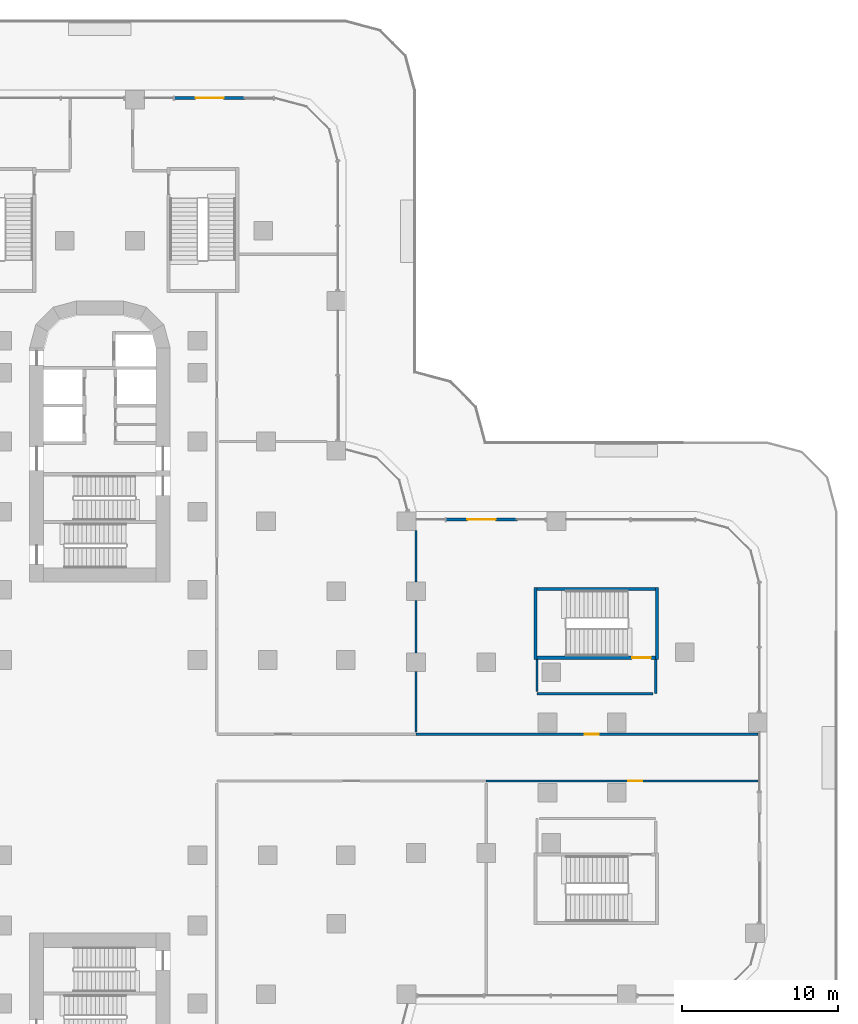
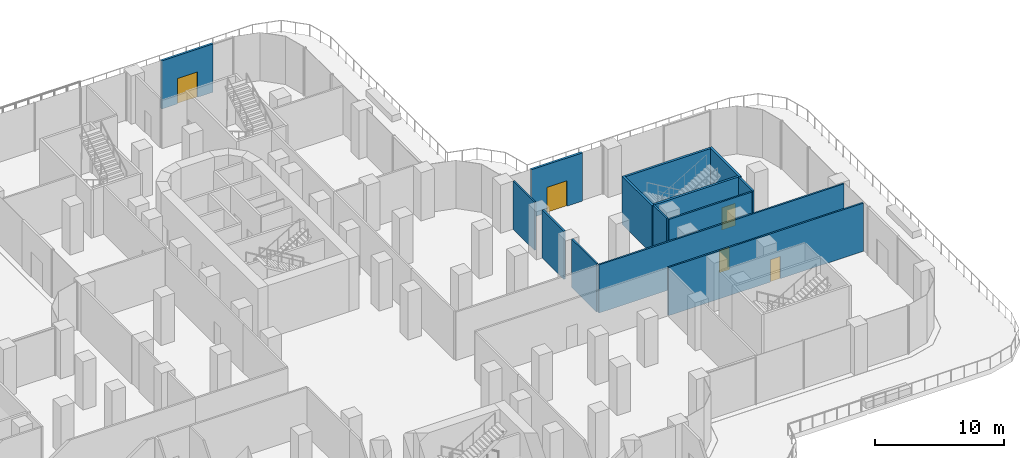
# One storey, part 20 of 27: 14 walls, 5 doors, 5 openings.
"""IFC4 building model written with IfcOpenShell, lengths in metres."""

from ifc_helpers import new_model, si_unit, direction, frame, frame_2d, origin, place, context, subcontext, project, spatial, rectangle, extrude, material, layer, layer_set, type_object, element, fill, save


model = new_model("IFC4")

# Units and contexts
model_context = context("Model", 3, precision=1e-05, world=origin(), true_north=direction((0.0, 1.0)))
body_context = subcontext(model_context, "Body", "Model", "MODEL_VIEW")
ifc_project = project(units=[si_unit("LENGTHUNIT", "METRE"), si_unit("AREAUNIT", "SQUARE_METRE"), si_unit("VOLUMEUNIT", "CUBIC_METRE"), si_unit("PLANEANGLEUNIT", "RADIAN"), si_unit("MASSUNIT", "GRAM", prefix="KILO")], contexts=[model_context])

# Site, building, storey
site_placement = place(None, origin())
site = spatial("IfcSite", under=ifc_project, at=site_placement, CompositionType="ELEMENT")
building_placement = place(site_placement, origin())
building = spatial("IfcBuilding", under=site, at=building_placement, Name="Zarbagh Exchange Tower", CompositionType="ELEMENT")
storey_placement = place(building_placement, frame((0.0, 0.0, 17.0)))
storey = spatial("IfcBuildingStorey", under=building, at=storey_placement, Name="L03", CompositionType="ELEMENT", Elevation=17.0)

# Walls
ifc_material_1 = material(Name="Plasterboard partition")
ifc_layer_1 = layer(ifc_material_1, 0.14990234375)
ifc_layer_set_1 = layer_set([ifc_layer_1], Name="Board partition 150")
wall_type_1 = type_object("IfcWallType", Name="Board partition 150", PredefinedType="PARTITIONING", material=ifc_layer_set_1)
wall_1_placement = place(storey_placement, frame((35.60009765625, 6.300048828125, 0.0), z_axis=(0.0, 0.0, 1.0), x_axis=(0.0, -1.0, 0.0)))
element("IfcWall", 1, at=wall_1_placement, inside=storey, type_object=wall_type_1, Name="WL-L03-W003", PredefinedType="PARTITIONING", context=body_context, shape_type="SweptSolid", body=[
    extrude(rectangle(XDim=2.199951171875, YDim=0.14990234375, at=frame_2d((1.10009765625, 0.0))), origin(), (0.0, 0.0, 1.0), 4.550048828125),
])
wall_2_placement = place(storey_placement, frame((35.449951171875, 4.10009765625, 0.0), z_axis=(0.0, 0.0, 1.0), x_axis=(-1.0, 0.0, 0.0)))
element("IfcWall", 2, at=wall_2_placement, inside=storey, type_object=wall_type_1, Name="WL-L03-W004", PredefinedType="PARTITIONING", context=body_context, shape_type="SweptSolid", body=[
    extrude(rectangle(XDim=7.449951171875, YDim=0.14990234375, at=frame_2d((3.72509765625, 0.0))), origin(), (0.0, 0.0, 1.0), 4.550048828125),
])
wall_3_placement = place(storey_placement, frame((28.0, 4.25, 0.0), z_axis=(0.0, 0.0, 1.0), x_axis=(0.0, 1.0, 0.0)))
element("IfcWall", 3, at=wall_3_placement, inside=storey, type_object=wall_type_1, Name="WL-L03-W005", PredefinedType="PARTITIONING", context=body_context, shape_type="SweptSolid", body=[
    extrude(rectangle(XDim=2.050048828125, YDim=0.14990234375, at=frame_2d((1.02490234375, 0.0))), origin(), (0.0, 0.0, 1.0), 4.550048828125),
])

# Wall, opening, door
wall_4_placement = place(storey_placement, frame((20.25, 1.5, 0.0), z_axis=(0.0, 0.0, 1.0), x_axis=(1.0, 0.0, 0.0)))
wall_4 = element("IfcWall", 4, at=wall_4_placement, inside=storey, type_object=wall_type_1, Name="WL-L03-W034", PredefinedType="PARTITIONING", context=body_context, shape_type="SweptSolid", body=[
    extrude(rectangle(XDim=21.89990234375, YDim=0.14990234375, at=frame_2d((10.949951171875, 0.0))), origin(), (0.0, 0.0, 1.0), 4.550048828125),
])
opening_1_placement = place(wall_4_placement, frame((10.800048828125, 0.0, 0.0)))
opening_1 = element("IfcOpeningElement", 5, at=opening_1_placement, cuts=wall_4, Name="Opening D12", PredefinedType="OPENING", context=body_context, shape_type="SweptSolid", body=[
    extrude(rectangle(XDim=0.89990234375, YDim=2.10009765625, at=frame_2d((0.449951171875, 1.050048828125))), frame((0.0, 0.0849609375, 0.0), z_axis=(0.0, -1.0, 0.0), x_axis=(1.0, 0.0, 0.0)), (0.0, 0.0, 1.0), 0.169921875),
])
ifc_material_2 = material(Name="Timber door leaf", Category="wood")
door_type_1 = type_object("IfcDoorType", Name="Door single 900x2100", OperationType="SINGLE_SWING_LEFT", PredefinedType="DOOR", material=ifc_material_2)
door_1_placement = place(opening_1_placement, origin())
door_1 = element("IfcDoor", 6, at=door_1_placement, inside=storey, type_object=door_type_1, Name="D12", OperationType="SINGLE_SWING_LEFT", OverallHeight=2.10009765625, OverallWidth=0.89990234375, PredefinedType="DOOR", context=body_context, shape_type="SweptSolid", body=[
    extrude(rectangle(XDim=0.89990234375, YDim=2.10009765625, at=frame_2d((0.449951171875, 1.050048828125))), frame((0.0, 0.02490234375, 0.0), z_axis=(0.0, -1.0, 0.0), x_axis=(1.0, 0.0, 0.0)), (0.0, 0.0, 1.0), 0.050048828125),
])
fill(opening_1, door_1)

wall_5_placement = place(storey_placement, frame((42.14990234375, -1.5, 0.0), z_axis=(0.0, 0.0, 1.0), x_axis=(-1.0, 0.0, 0.0)))
wall_5 = element("IfcWall", 7, at=wall_5_placement, inside=storey, type_object=wall_type_1, Name="WL-L03-W036", PredefinedType="PARTITIONING", context=body_context, shape_type="SweptSolid", body=[
    extrude(rectangle(XDim=17.39990234375, YDim=0.14990234375, at=frame_2d((8.699951171875, 0.0))), origin(), (0.0, 0.0, 1.0), 4.550048828125),
])
opening_2_placement = place(wall_5_placement, frame((7.39990234375, 0.0, 0.0)))
opening_2 = element("IfcOpeningElement", 8, at=opening_2_placement, cuts=wall_5, Name="Opening D14", PredefinedType="OPENING", context=body_context, shape_type="SweptSolid", body=[
    extrude(rectangle(XDim=0.89990234375, YDim=2.10009765625, at=frame_2d((0.449951171875, 1.050048828125))), frame((0.0, 0.0849609375, 0.0), z_axis=(0.0, -1.0, 0.0), x_axis=(1.0, 0.0, 0.0)), (0.0, 0.0, 1.0), 0.169921875),
])
door_2_placement = place(opening_2_placement, origin())
door_2 = element("IfcDoor", 9, at=door_2_placement, inside=storey, type_object=door_type_1, Name="D14", OperationType="SINGLE_SWING_LEFT", OverallHeight=2.10009765625, OverallWidth=0.89990234375, PredefinedType="DOOR", context=body_context, shape_type="SweptSolid", body=[
    extrude(rectangle(XDim=0.89990234375, YDim=2.10009765625, at=frame_2d((0.449951171875, 1.050048828125))), frame((0.0, 0.02490234375, 0.0), z_axis=(0.0, -1.0, 0.0), x_axis=(1.0, 0.0, 0.0)), (0.0, 0.0, 1.0), 0.050048828125),
])
fill(opening_2, door_2)

# Walls
wall_6_placement = place(storey_placement, frame((20.25, 14.550048828125, 0.0), z_axis=(0.0, 0.0, 1.0), x_axis=(0.0, -1.0, 0.0)))
element("IfcWall", 10, at=wall_6_placement, inside=storey, type_object=wall_type_1, Name="WL-L03-W043", PredefinedType="PARTITIONING", context=body_context, shape_type="SweptSolid", body=[
    extrude(rectangle(XDim=3.300048828125, YDim=0.14990234375, at=frame_2d((1.64990234375, 0.0))), origin(), (0.0, 0.0, 1.0), 4.550048828125),
])
wall_7_placement = place(storey_placement, frame((20.25, 10.050048828125, 0.0), z_axis=(0.0, 0.0, 1.0), x_axis=(0.0, -1.0, 0.0)))
element("IfcWall", 11, at=wall_7_placement, inside=storey, type_object=wall_type_1, Name="WL-L03-W044", PredefinedType="PARTITIONING", context=body_context, shape_type="SweptSolid", body=[
    extrude(rectangle(XDim=3.340087890625, YDim=0.14990234375, at=frame_2d((1.669921875, 0.0))), origin(), (0.0, 0.0, 1.0), 4.550048828125),
])
wall_8_placement = place(storey_placement, frame((20.25, 5.510009765625, 0.0), z_axis=(0.0, 0.0, 1.0), x_axis=(0.0, -1.0, 0.0)))
element("IfcWall", 12, at=wall_8_placement, inside=storey, type_object=wall_type_1, Name="WL-L03-W045", PredefinedType="PARTITIONING", context=body_context, shape_type="SweptSolid", body=[
    extrude(rectangle(XDim=3.860107421875, YDim=0.14990234375, at=frame_2d((1.93017578125, 0.0))), origin(), (0.0, 0.0, 1.0), 4.550048828125),
])
ifc_material_3 = material(Name="Concrete C40/50", Category="concrete")
ifc_layer_2 = layer(ifc_material_3, 0.199951171875)
ifc_layer_set_2 = layer_set([ifc_layer_2], Name="Stair enclosure wall 200 mm RC C40/50")
wall_type_2 = type_object("IfcWallType", Name="Stair enclosure wall 200 mm RC C40/50", PredefinedType="SHEAR", material=ifc_layer_set_2)
for number, where, z_axis, x_axis, name in (
    (13, (27.89990234375, 6.300048828125, 0.0), (0.0, 0.0, 1.0), (0.0, 1.0, 0.0), "Exit stair PS3 enclosure wall W"),
    (14, (35.699951171875, 6.300048828125, 0.0), (0.0, 0.0, 1.0), (0.0, 1.0, 0.0), "Exit stair PS3 enclosure wall E"),
):
    element("IfcWall", number, at=place(storey_placement, frame(where, z_axis=z_axis, x_axis=x_axis)), inside=storey, type_object=wall_type_2, Name=name, PredefinedType="SHEAR", context=body_context, shape_type="SweptSolid", body=[
        extrude(rectangle(XDim=4.599853515625, YDim=0.199951171875, at=frame_2d((2.2998046875, 0.0))), origin(), (0.0, 0.0, 1.0), 4.550048828125),
    ])

# Wall, opening, door
wall_9_placement = place(storey_placement, frame((28.0, 6.39990234375, 0.0), z_axis=(0.0, 0.0, 1.0), x_axis=(1.0, 0.0, 0.0)))
wall_9 = element("IfcWall", 15, at=wall_9_placement, inside=storey, type_object=wall_type_2, Name="Exit stair PS3 enclosure wall S", PredefinedType="SHEAR", context=body_context, shape_type="SweptSolid", body=[
    extrude(rectangle(XDim=7.60009765625, YDim=0.199951171875, at=frame_2d((3.800048828125, 0.0))), origin(), (0.0, 0.0, 1.0), 4.550048828125),
])
opening_3_placement = place(wall_9_placement, frame((6.10009765625, 0.0, 0.0)))
opening_3 = element("IfcOpeningElement", 16, at=opening_3_placement, cuts=wall_9, Name="Opening SD1-1200", PredefinedType="OPENING", context=body_context, shape_type="SweptSolid", body=[
    extrude(rectangle(XDim=1.199951171875, YDim=2.10009765625, at=frame_2d((0.60009765625, 1.050048828125))), frame((0.0, 0.10986328125, 0.0), z_axis=(0.0, -1.0, 0.0), x_axis=(1.0, 0.0, 0.0)), (0.0, 0.0, 1.0), 0.219970703125),
])
ifc_material_4 = material(Name="Steel", Category="steel")
door_type_2 = type_object("IfcDoorType", Name="Exit stair door 1200 x 2100", OperationType="NOTDEFINED", PredefinedType="DOOR", material=ifc_material_4)
door_3_placement = place(opening_3_placement, origin())
door_3 = element("IfcDoor", 17, at=door_3_placement, inside=storey, type_object=door_type_2, Name="Exit stair PS3 entry door", OperationType="SINGLE_SWING_RIGHT", OverallHeight=2.10009765625, OverallWidth=1.199951171875, PredefinedType="DOOR", context=body_context, shape_type="SweptSolid", body=[
    extrude(rectangle(XDim=1.199951171875, YDim=2.10009765625, at=frame_2d((0.60009765625, 1.050048828125))), frame((0.0, 0.02490234375, 0.0), z_axis=(0.0, -1.0, 0.0), x_axis=(1.0, 0.0, 0.0)), (0.0, 0.0, 1.0), 0.050048828125),
])
fill(opening_3, door_3)

# Wall
wall_10_placement = place(storey_placement, frame((28.0, 10.800048828125, 0.0), z_axis=(0.0, 0.0, 1.0), x_axis=(1.0, 0.0, 0.0)))
element("IfcWall", 18, at=wall_10_placement, inside=storey, type_object=wall_type_2, Name="Exit stair PS3 enclosure wall N", PredefinedType="SHEAR", context=body_context, shape_type="SweptSolid", body=[
    extrude(rectangle(XDim=7.60009765625, YDim=0.199951171875, at=frame_2d((3.800048828125, 0.0))), origin(), (0.0, 0.0, 1.0), 4.550048828125),
])

# Wall, opening, door
ifc_material_5 = material(Name="Precast concrete C50/60", Category="concrete")
ifc_layer_3 = layer(ifc_material_5, 0.199951171875)
ifc_layer_set_3 = layer_set([ifc_layer_3], Name="Terrace door wall, precast concrete C50/60")
wall_type_3 = type_object("IfcWallType", Name="Terrace door wall, precast concrete C50/60", PredefinedType="SOLIDWALL", material=ifc_layer_set_3)
wall_11_placement = place(storey_placement, frame((26.739990234375, 15.25, 0.0), z_axis=(0.0, 0.0, 1.0), x_axis=(-1.0, 0.0, 0.0)))
wall_11 = element("IfcWall", 19, at=wall_11_placement, inside=storey, type_object=wall_type_3, Name="TW21 door wall", PredefinedType="SOLIDWALL", context=body_context, shape_type="SweptSolid", body=[
    extrude(rectangle(XDim=4.580078125, YDim=0.199951171875, at=frame_2d((2.2900390625, 0.0))), origin(), (0.0, 0.0, 1.0), 4.550048828125),
])
opening_4_placement = place(wall_11_placement, frame((1.389892578125, 0.0, 0.0)))
opening_4 = element("IfcOpeningElement", 20, at=opening_4_placement, cuts=wall_11, Name="Opening TD03", PredefinedType="OPENING", context=body_context, shape_type="SweptSolid", body=[
    extrude(rectangle(XDim=1.800048828125, YDim=2.39990234375, at=frame_2d((0.89990234375, 1.199951171875))), frame((0.0, 0.10986328125, 0.0), z_axis=(0.0, -1.0, 0.0), x_axis=(1.0, 0.0, 0.0)), (0.0, 0.0, 1.0), 0.219970703125),
])
ifc_material_6 = material(Name="Anodised aluminium and glass", Category="aluminium")
door_type_3 = type_object("IfcDoorType", Name="Terrace door, double leaf, aluminium and glass", OperationType="DOUBLE_DOOR_DOUBLE_SWING", PredefinedType="DOOR", material=ifc_material_6)
door_4_placement = place(opening_4_placement, origin())
door_4 = element("IfcDoor", 21, at=door_4_placement, inside=storey, type_object=door_type_3, Name="TD03 terrace door", OperationType="SINGLE_SWING_LEFT", OverallHeight=2.39990234375, OverallWidth=1.800048828125, PredefinedType="DOOR", context=body_context, shape_type="SweptSolid", body=[
    extrude(rectangle(XDim=1.800048828125, YDim=2.39990234375, at=frame_2d((0.89990234375, 1.199951171875))), frame((0.0, 0.02490234375, 0.0), z_axis=(0.0, -1.0, 0.0), x_axis=(1.0, 0.0, 0.0)), (0.0, 0.0, 1.0), 0.050048828125),
])
fill(opening_4, door_4)

wall_12_placement = place(storey_placement, frame((9.3271484375, 42.25, 0.0), z_axis=(0.0, 0.0, 1.0), x_axis=(-1.0, 0.0, 0.0)))
wall_12 = element("IfcWall", 22, at=wall_12_placement, inside=storey, type_object=wall_type_3, Name="TW22 door wall", PredefinedType="SOLIDWALL", context=body_context, shape_type="SweptSolid", body=[
    extrude(rectangle(XDim=4.580078125, YDim=0.199951171875, at=frame_2d((2.2900390625, 0.0))), origin(), (0.0, 0.0, 1.0), 4.550048828125),
])
opening_5_placement = place(wall_12_placement, frame((1.389892578125, 0.0, 0.0)))
opening_5 = element("IfcOpeningElement", 23, at=opening_5_placement, cuts=wall_12, Name="Opening TD03", PredefinedType="OPENING", context=body_context, shape_type="SweptSolid", body=[
    extrude(rectangle(XDim=1.800048828125, YDim=2.39990234375, at=frame_2d((0.89990234375, 1.199951171875))), frame((0.0, 0.10986328125, 0.0), z_axis=(0.0, -1.0, 0.0), x_axis=(1.0, 0.0, 0.0)), (0.0, 0.0, 1.0), 0.219970703125),
])
door_5_placement = place(opening_5_placement, origin())
door_5 = element("IfcDoor", 24, at=door_5_placement, inside=storey, type_object=door_type_3, Name="TD03 terrace door", OperationType="SINGLE_SWING_LEFT", OverallHeight=2.39990234375, OverallWidth=1.800048828125, PredefinedType="DOOR", context=body_context, shape_type="SweptSolid", body=[
    extrude(rectangle(XDim=1.800048828125, YDim=2.39990234375, at=frame_2d((0.89990234375, 1.199951171875))), frame((0.0, 0.02490234375, 0.0), z_axis=(0.0, -1.0, 0.0), x_axis=(1.0, 0.0, 0.0)), (0.0, 0.0, 1.0), 0.050048828125),
])
fill(opening_5, door_5)

save(model, "model.ifc")
